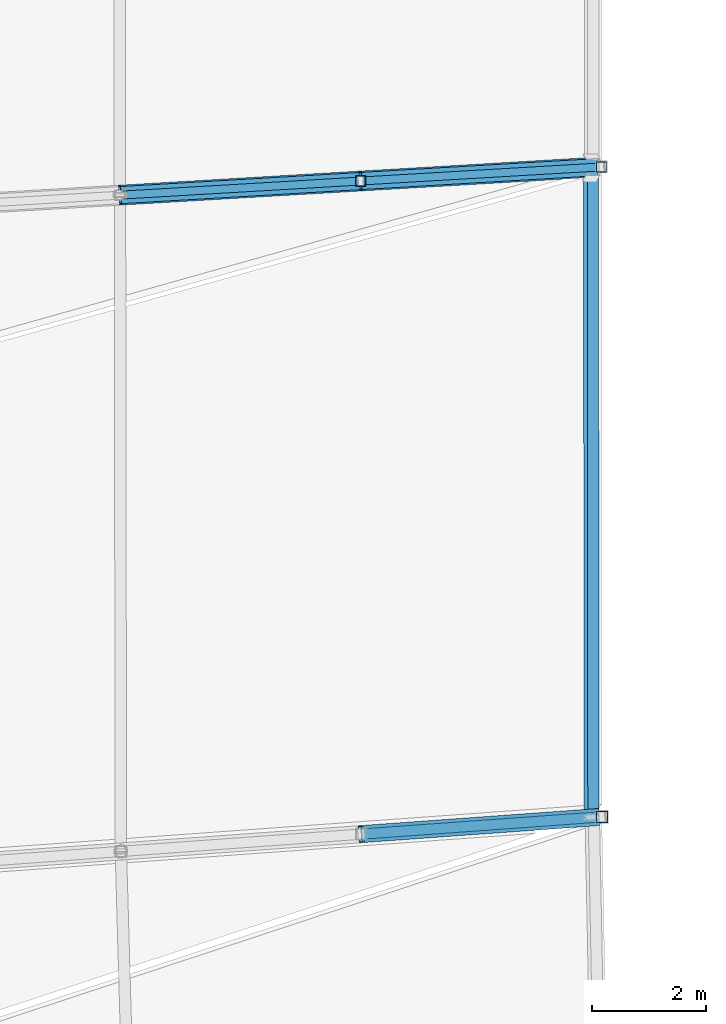
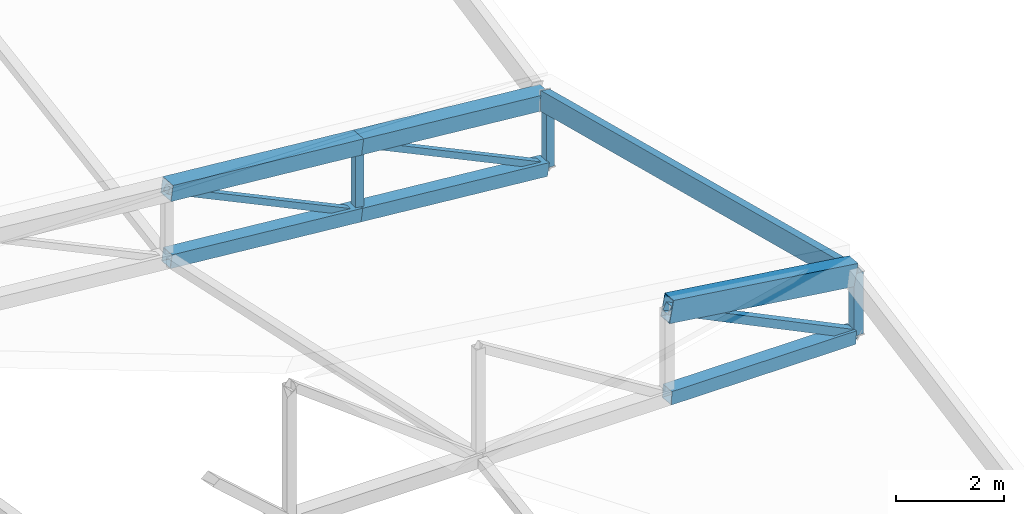
# One storey, part 55 of 344: 12 members, 1 beam.
"""IFC4 building model written with IfcOpenShell, lengths in metres."""

from ifc_helpers import new_model, si_unit, direction, frame, origin, origin_2d, place, context, subcontext, project, spatial, hollow_rectangle, extrude, material, material_profile, profile_set, type_object, element, save


model = new_model("IFC4")

# Units and contexts
model_context = context("Model", 3, precision=1e-05, world=origin(), true_north=direction((0.0, 1.0)))
body_context = subcontext(model_context, "Body", "Model", "MODEL_VIEW")
ifc_project = project(units=[si_unit("LENGTHUNIT", "METRE"), si_unit("AREAUNIT", "SQUARE_METRE"), si_unit("VOLUMEUNIT", "CUBIC_METRE"), si_unit("PLANEANGLEUNIT", "RADIAN"), si_unit("MASSUNIT", "GRAM", prefix="KILO")], contexts=[model_context])

# Site, building, storey
site_placement = place(None, origin())
site = spatial("IfcSite", under=ifc_project, at=site_placement, CompositionType="ELEMENT")
building_placement = place(site_placement, origin())
building = spatial("IfcBuilding", under=site, at=building_placement, Name="Meseta Stadium", CompositionType="ELEMENT")
storey_placement = place(building_placement, frame((0.0, 0.0, 24.0)))
storey = spatial("IfcBuildingStorey", under=building, at=storey_placement, Name="L04", CompositionType="ELEMENT", Elevation=24.0)

# Beam
ifc_material_1 = material(Name="Steel S355", Category="steel")
ifc_material_profile_1 = material_profile(ifc_material_1, hollow_rectangle(XDim=0.199951171875, YDim=0.39990234375, WallThickness=0.01611328125, at=origin_2d()), Name="RHS 400x200x16")
ifc_profile_set_1 = profile_set([ifc_material_profile_1], Name="Steel S355")
beam_type = type_object("IfcBeamType", Name="RHS 400x200x16 tip ring beam", PredefinedType="BEAM", material=ifc_profile_set_1)
beam_placement = place(storey_placement, frame((-47.17138671875, -28.659423828125, 3.2900390625), z_axis=(0.000719801988, -0.968430063163, 0.249284365026), x_axis=(0.986486862891, -0.040154812974, -0.15884350896)))
element("IfcBeam", 1, at=beam_placement, inside=storey, type_object=beam_type, Name="TIP RING BEAM 36", PredefinedType="BEAM", context=body_context, shape_type="SweptSolid", body=[
    extrude(hollow_rectangle(XDim=0.199951171875, YDim=0.39990234375, WallThickness=0.01611328125, at=origin_2d()), origin(), (0.0, 0.0, 1.0), 11.531982421875),
])

# Members
ifc_material_2 = material(Name="Steel S355", Category="steel")
ifc_material_profile_2 = material_profile(ifc_material_2, hollow_rectangle(XDim=0.300048828125, YDim=0.5, WallThickness=0.01611328125, at=origin_2d()), Name="RHS 500x300x16")
ifc_profile_set_2 = profile_set([ifc_material_profile_2], Name="Steel S355")
member_type_1 = type_object("IfcMemberType", Name="RHS 500x300x16 top chord", PredefinedType="CHORD", material=ifc_profile_set_2)
member_1_placement = place(storey_placement, frame((-47.080322265625, -39.84130859375, 6.174560546875), z_axis=(-0.979970819923, -0.070496476362, 0.186245641346), x_axis=(0.071751904238, -0.997422510393, 0.0)))
element("IfcMember", 2, at=member_1_placement, inside=storey, type_object=member_type_1, Name="ROOF TRUSS RT-36 top chord", PredefinedType="CHORD", context=body_context, shape_type="SweptSolid", body=[
    extrude(hollow_rectangle(XDim=0.300048828125, YDim=0.5, WallThickness=0.01611328125, at=origin_2d()), origin(), (0.0, 0.0, 1.0), 4.197265625),
])
ifc_material_3 = material(Name="Steel S355", Category="steel")
ifc_material_profile_3 = material_profile(ifc_material_3, hollow_rectangle(XDim=0.139892578125, YDim=0.139892578125, WallThickness=0.0048828125, at=origin_2d()), Name="SHS 140x140x5")
ifc_profile_set_3 = profile_set([ifc_material_profile_3], Name="Steel S355")
member_type_2 = type_object("IfcMemberType", Name="SHS 140x140x5 diagonal", PredefinedType="BRACE", material=ifc_profile_set_3)
member_2_placement = place(storey_placement, frame((-46.990966796875, -28.453369140625, 1.644287109375), z_axis=(-0.891499988097, -0.052362198096, 0.449984412435), x_axis=(0.05863388944, -0.998279553537, 0.0)))
element("IfcMember", 3, at=member_2_placement, inside=storey, type_object=member_type_2, Name="ROOF TRUSS RT-35 diagonal", PredefinedType="BRACE", context=body_context, shape_type="SweptSolid", body=[
    extrude(hollow_rectangle(XDim=0.139892578125, YDim=0.139892578125, WallThickness=0.0048828125, at=origin_2d()), origin(), (0.0, 0.0, 1.0), 4.727783203125),
])
member_3_placement = place(storey_placement, frame((-51.205810546875, -28.700927734375, 2.217041015625), z_axis=(-0.891508173621, -0.052411282724, 0.449962480448), x_axis=(0.058688126957, -0.998276366421, 0.0)))
element("IfcMember", 4, at=member_3_placement, inside=storey, type_object=member_type_2, Name="ROOF TRUSS RT-35 diagonal", PredefinedType="BRACE", context=body_context, shape_type="SweptSolid", body=[
    extrude(hollow_rectangle(XDim=0.139892578125, YDim=0.139892578125, WallThickness=0.0048828125, at=origin_2d()), origin(), (0.0, 0.0, 1.0), 4.72802734375),
])
ifc_material_4 = material(Name="Steel S355", Category="steel")
ifc_material_profile_4 = material_profile(ifc_material_4, hollow_rectangle(XDim=0.179931640625, YDim=0.179931640625, WallThickness=0.00634765625, at=origin_2d()), Name="SHS 180x180x6.3")
ifc_profile_set_4 = profile_set([ifc_material_profile_4], Name="Steel S355")
member_type_3 = type_object("IfcMemberType", Name="SHS 180x180x6.3 diagonal", PredefinedType="BRACE", material=ifc_profile_set_4)
member_4_placement = place(storey_placement, frame((-46.982421875, -39.834228515625, 4.756103515625), z_axis=(-0.884524295796, -0.063638161695, 0.462133048508), x_axis=(0.071760713601, -0.997421876632, 0.0)))
element("IfcMember", 5, at=member_4_placement, inside=storey, type_object=member_type_3, Name="ROOF TRUSS RT-36 diagonal", PredefinedType="BRACE", context=body_context, shape_type="SweptSolid", body=[
    extrude(hollow_rectangle(XDim=0.179931640625, YDim=0.179931640625, WallThickness=0.00634765625, at=origin_2d()), origin(), (0.0, 0.0, 1.0), 4.760986328125),
])
ifc_material_5 = material(Name="Steel S355", Category="steel")
ifc_material_profile_5 = material_profile(ifc_material_5, hollow_rectangle(XDim=0.179931640625, YDim=0.179931640625, WallThickness=0.00634765625, at=origin_2d()), Name="SHS 180x180x6.3")
ifc_profile_set_5 = profile_set([ifc_material_profile_5], Name="Steel S355")
member_type_4 = type_object("IfcMemberType", Name="SHS 180x180x6.3 post", PredefinedType="POST", material=ifc_profile_set_5)
member_5_placement = place(storey_placement, frame((-51.205810546875, -28.700927734375, 2.217041015625), z_axis=(0.0, 0.0, 1.0), x_axis=(1.0, 0.0, 0.0)))
element("IfcMember", 6, at=member_5_placement, inside=storey, type_object=member_type_4, Name="ROOF TRUSS RT-35 post", PredefinedType="POST", context=body_context, shape_type="SweptSolid", body=[
    extrude(hollow_rectangle(XDim=0.179931640625, YDim=0.179931640625, WallThickness=0.00634765625, at=origin_2d()), origin(), (0.0, 0.0, 1.0), 1.5546875),
])
ifc_material_6 = material(Name="Steel S355", Category="steel")
ifc_material_profile_6 = material_profile(ifc_material_6, hollow_rectangle(XDim=0.179931640625, YDim=0.179931640625, WallThickness=0.00634765625, at=origin_2d()), Name="SHS 180x180x6.3")
ifc_profile_set_6 = profile_set([ifc_material_profile_6], Name="Steel S355")
member_type_5 = type_object("IfcMemberType", Name="SHS 180x180x6.3 rim post", PredefinedType="POST", material=ifc_profile_set_6)
member_6_placement = place(storey_placement, frame((-46.990966796875, -28.453369140625, 1.644287109375), z_axis=(0.0, 0.0, 1.0), x_axis=(1.0, 0.0, 0.0)))
element("IfcMember", 7, at=member_6_placement, inside=storey, type_object=member_type_5, Name="ROOF TRUSS RT-35 post", PredefinedType="POST", context=body_context, shape_type="SweptSolid", body=[
    extrude(hollow_rectangle(XDim=0.179931640625, YDim=0.179931640625, WallThickness=0.00634765625, at=origin_2d()), origin(), (0.0, 0.0, 1.0), 1.5546875),
])
ifc_material_7 = material(Name="Steel S355", Category="steel")
ifc_material_profile_7 = material_profile(ifc_material_7, hollow_rectangle(XDim=0.199951171875, YDim=0.199951171875, WallThickness=0.008056640625, at=origin_2d()), Name="SHS 200x200x8")
ifc_profile_set_7 = profile_set([ifc_material_profile_7], Name="Steel S355")
member_type_6 = type_object("IfcMemberType", Name="SHS 200x200x8 rim post", PredefinedType="POST", material=ifc_profile_set_7)
member_7_placement = place(storey_placement, frame((-46.982421875, -39.834228515625, 4.756103515625), z_axis=(0.0, 0.0, 1.0), x_axis=(1.0, 0.0, 0.0)))
element("IfcMember", 8, at=member_7_placement, inside=storey, type_object=member_type_6, Name="ROOF TRUSS RT-36 post", PredefinedType="POST", context=body_context, shape_type="SweptSolid", body=[
    extrude(hollow_rectangle(XDim=0.199951171875, YDim=0.199951171875, WallThickness=0.008056640625, at=origin_2d()), origin(), (0.0, 0.0, 1.0), 1.39990234375),
])
ifc_material_8 = material(Name="Steel S355", Category="steel")
ifc_material_profile_8 = material_profile(ifc_material_8, hollow_rectangle(XDim=0.300048828125, YDim=0.300048828125, WallThickness=0.010009765625, at=origin_2d()), Name="SHS 300x300x10")
ifc_profile_set_8 = profile_set([ifc_material_profile_8], Name="Steel S355")
member_type_7 = type_object("IfcMemberType", Name="SHS 300x300x10 bottom chord", PredefinedType="CHORD", material=ifc_profile_set_8)
member_8_placement = place(storey_placement, frame((-47.080078125, -28.458740234375, 1.656494140625), z_axis=(-0.98922398709, -0.058069128066, 0.134401933508), x_axis=(0.058600819185, -0.998281495366, 0.0)))
element("IfcMember", 9, at=member_8_placement, inside=storey, type_object=member_type_7, Name="ROOF TRUSS RT-35 bottom chord", PredefinedType="CHORD", context=body_context, shape_type="SweptSolid", body=[
    extrude(hollow_rectangle(XDim=0.300048828125, YDim=0.300048828125, WallThickness=0.010009765625, at=origin_2d()), origin(), (0.0, 0.0, 1.0), 4.170654296875),
])
member_9_placement = place(storey_placement, frame((-51.205810546875, -28.700927734375, 2.217041015625), z_axis=(-0.989209296458, -0.058155078824, 0.134472876848), x_axis=(0.058688126957, -0.998276366421, 0.0)))
element("IfcMember", 10, at=member_9_placement, inside=storey, type_object=member_type_7, Name="ROOF TRUSS RT-35 bottom chord", PredefinedType="CHORD", context=body_context, shape_type="SweptSolid", body=[
    extrude(hollow_rectangle(XDim=0.300048828125, YDim=0.300048828125, WallThickness=0.010009765625, at=origin_2d()), origin(), (0.0, 0.0, 1.0), 4.260986328125),
])
member_10_placement = place(storey_placement, frame((-47.08203125, -39.84130859375, 4.761962890625), z_axis=(-0.995644183154, -0.071653746807, 0.05965233542), x_axis=(0.071781574442, -0.997420375554, 0.0)))
element("IfcMember", 11, at=member_10_placement, inside=storey, type_object=member_type_7, Name="ROOF TRUSS RT-36 bottom chord", PredefinedType="CHORD", context=body_context, shape_type="SweptSolid", body=[
    extrude(hollow_rectangle(XDim=0.300048828125, YDim=0.300048828125, WallThickness=0.010009765625, at=origin_2d()), origin(), (0.0, 0.0, 1.0), 4.129638671875),
])
ifc_material_9 = material(Name="Steel S355", Category="steel")
ifc_material_profile_9 = material_profile(ifc_material_9, hollow_rectangle(XDim=0.35009765625, YDim=0.35009765625, WallThickness=0.010009765625, at=origin_2d()), Name="SHS 350x350x10")
ifc_profile_set_9 = profile_set([ifc_material_profile_9], Name="Steel S355")
member_type_8 = type_object("IfcMemberType", Name="SHS 350x350x10 top chord", PredefinedType="CHORD", material=ifc_profile_set_9)
member_11_placement = place(storey_placement, frame((-47.080078125, -28.458740234375, 3.2109375), z_axis=(-0.989216202725, -0.058068671111, 0.134459412844), x_axis=(0.058600819185, -0.998281495366, 0.0)))
element("IfcMember", 12, at=member_11_placement, inside=storey, type_object=member_type_8, Name="ROOF TRUSS RT-35 top chord", PredefinedType="CHORD", context=body_context, shape_type="SweptSolid", body=[
    extrude(hollow_rectangle(XDim=0.35009765625, YDim=0.35009765625, WallThickness=0.010009765625, at=origin_2d()), origin(), (0.0, 0.0, 1.0), 4.170654296875),
])
member_12_placement = place(storey_placement, frame((-51.205810546875, -28.700927734375, 3.771728515625), z_axis=(-0.989216916493, -0.058155526802, 0.134416616629), x_axis=(0.058688126957, -0.998276366421, 0.0)))
element("IfcMember", 13, at=member_12_placement, inside=storey, type_object=member_type_8, Name="ROOF TRUSS RT-35 top chord", PredefinedType="CHORD", context=body_context, shape_type="SweptSolid", body=[
    extrude(hollow_rectangle(XDim=0.35009765625, YDim=0.35009765625, WallThickness=0.010009765625, at=origin_2d()), origin(), (0.0, 0.0, 1.0), 4.260986328125),
])

save(model, "model.ifc")
